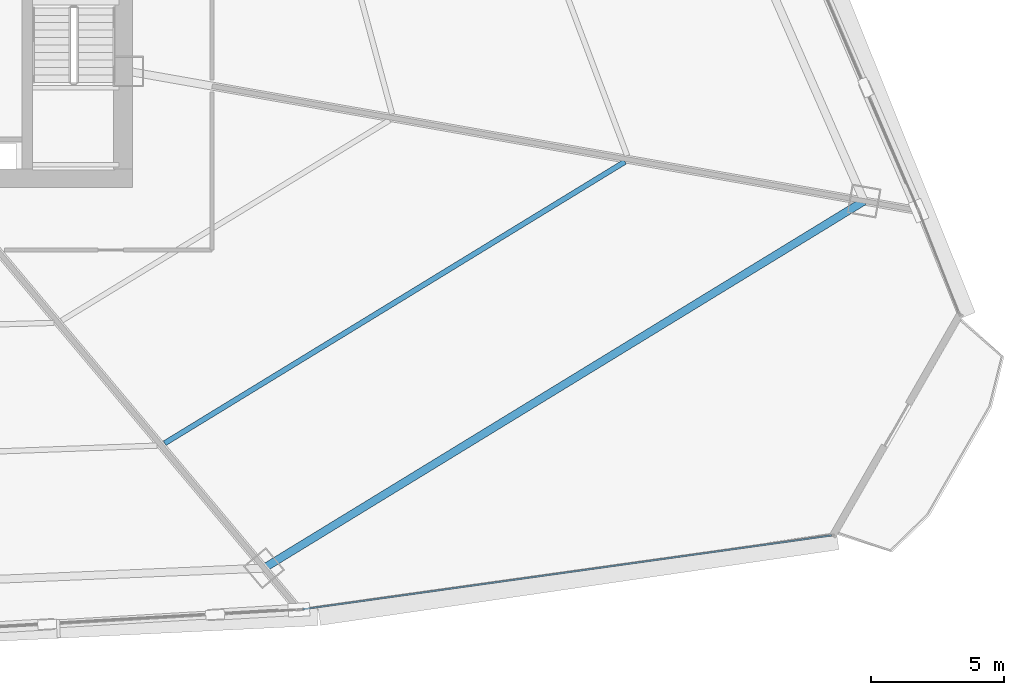
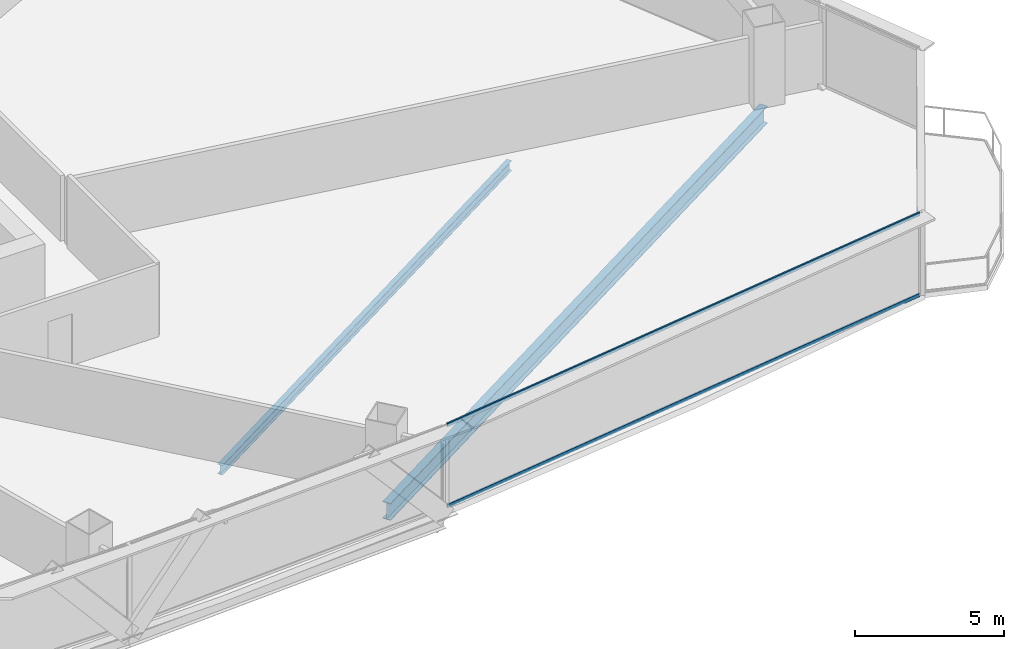
# One storey, part 20 of 38: 2 beams, 2 members, 1 element without a shape of its own.
"""IFC4 building model written with IfcOpenShell, lengths in metres."""

from ifc_helpers import new_model, si_unit, direction, frame, origin, origin_2d, place, context, subcontext, project, spatial, hollow_rectangle, i_section, extrude, source, transform, mapped, material, layer, layer_set, material_profile, profile_set, type_object, element, aggregate, save


model = new_model("IFC4")

# Units and contexts
model_context = context("Model", 3, precision=1e-05, world=origin(), true_north=direction((0.0, 1.0)))
body_context = subcontext(model_context, "Body", "Model", "MODEL_VIEW")
ifc_project = project(units=[si_unit("LENGTHUNIT", "METRE"), si_unit("AREAUNIT", "SQUARE_METRE"), si_unit("VOLUMEUNIT", "CUBIC_METRE"), si_unit("PLANEANGLEUNIT", "RADIAN"), si_unit("MASSUNIT", "GRAM", prefix="KILO"), si_unit("THERMODYNAMICTEMPERATUREUNIT", "KELVIN"), si_unit("POWERUNIT", "WATT")], contexts=[model_context])

# Site, building, storey
site_placement = place(None, origin())
site = spatial("IfcSite", under=ifc_project, at=site_placement, CompositionType="ELEMENT")
building_placement = place(site_placement, origin())
building = spatial("IfcBuilding", under=site, at=building_placement, Name="Yunzhuo Pagoda Commons", CompositionType="ELEMENT")
storey_placement = place(building_placement, frame((0.0, 0.0, 34.030029296875)))
storey = spatial("IfcBuildingStorey", under=building, at=storey_placement, Name="L08", CompositionType="ELEMENT", Elevation=34.030029296875)

# Beams
ifc_material_1 = material(Name="Structural steel Q355B", Category="steel")
ifc_material_profile_1 = material_profile(ifc_material_1, i_section(OverallWidth=0.300048828125, OverallDepth=0.699951171875, WebThickness=0.012939453125, FlangeThickness=0.02392578125, at=origin_2d()), Name="Structural steel Q355B")
ifc_profile_set_1 = profile_set([ifc_material_profile_1], Name="Structural steel Q355B")
beam_type_1 = type_object("IfcBeamType", Name="B-RG1 Beam HN 700x300x13x24", PredefinedType="BEAM", material=ifc_profile_set_1)
shared_shape_1 = source(origin(), body_context, "Body", "SweptSolid", [
    extrude(i_section(OverallWidth=0.300048828125, OverallDepth=0.699951171875, WebThickness=0.012939453125, FlangeThickness=0.02392578125, at=origin_2d()), origin(), (0.0, 0.0, 1.0), 26.432373046875),
])
beam_1_placement = place(storey_placement, frame((65.5, 12.844482421875, -0.610107421875), z_axis=(0.853031728928, 0.521859051318, 0.0), x_axis=(-0.521859051318, 0.853031728928, 0.0)))
element("IfcBeam", 1, at=beam_1_placement, inside=storey, type_object=beam_type_1, Name="L08 column-ring beam 4", PredefinedType="BEAM", context=body_context, shape_type="MappedRepresentation", body=[
    mapped(shared_shape_1, transform((0.0, 0.0, 0.0), scale=1.0)),
])
ifc_material_profile_2 = material_profile(ifc_material_1, i_section(OverallWidth=0.199951171875, OverallDepth=0.39990234375, WebThickness=0.008056640625, FlangeThickness=0.012939453125, at=origin_2d()), Name="Structural steel Q355B")
ifc_profile_set_2 = profile_set([ifc_material_profile_2], Name="Structural steel Q355B")
beam_type_2 = type_object("IfcBeamType", Name="B-JS1 Joist HN 400x200x8x13", PredefinedType="JOIST", material=ifc_profile_set_2)
shared_shape_2 = source(origin(), body_context, "Body", "SweptSolid", [
    extrude(i_section(OverallWidth=0.199951171875, OverallDepth=0.39990234375, WebThickness=0.008056640625, FlangeThickness=0.012939453125, at=origin_2d()), origin(), (0.0, 0.0, 1.0), 20.275634765625),
])
beam_2_placement = place(storey_placement, frame((61.767578125, 17.537109375, -0.4599609375), z_axis=(0.853102898066, 0.521742700295, 0.0), x_axis=(-0.521742700295, 0.853102898066, 0.0)))
element("IfcBeam", 2, at=beam_2_placement, inside=storey, type_object=beam_type_2, Name="L08 composite ring joist 2.4", PredefinedType="JOIST", context=body_context, shape_type="MappedRepresentation", body=[
    mapped(shared_shape_2, transform((0.0, 0.0, 0.0), scale=1.0)),
])

# Curtain wall, members
ifc_material_2 = material(Name="Anodized aluminium 6063-T6", Category="aluminium")
ifc_layer = layer(ifc_material_2, 0.1650390625)
ifc_layer_set = layer_set([ifc_layer], Name="Anodized aluminium 6063-T6")
curtain_wall_type = type_object("IfcCurtainWallType", Name="CW-LOW Low-Zone Ribbon Curtain Wall", PredefinedType="NOTDEFINED", material=ifc_layer_set)
curtain_wall_placement = place(storey_placement, origin())
curtain_wall = element("IfcCurtainWall", 3, at=curtain_wall_placement, inside=storey, type_object=curtain_wall_type, Name="L08 curtain wall CW-L08-F1B5", PredefinedType="NOTDEFINED")
ifc_material_profile_3 = material_profile(ifc_material_2, hollow_rectangle(XDim=0.06005859375, YDim=0.139892578125, WallThickness=0.00341796875, at=origin_2d()), Name="Anodized aluminium 6063-T6")
ifc_profile_set_3 = profile_set([ifc_material_profile_3], Name="Anodized aluminium 6063-T6")
member_type = type_object("IfcMemberType", Name="CW-LOW-T Transom RHS 140x60x3.5", PredefinedType="USERDEFINED", material=ifc_profile_set_3)
shared_shape_3 = source(origin(), body_context, "Body", "SweptSolid", [
    extrude(hollow_rectangle(XDim=0.06005859375, YDim=0.139892578125, WallThickness=0.00341796875, at=origin_2d()), origin(), (0.0, 0.0, 1.0), 20.06201171875),
])
member_1_placement = place(storey_placement, frame((66.95166015625, 11.298828125, 0.030029296875), z_axis=(0.990391410745, 0.138292637271, 0.0), x_axis=(-0.138292637271, 0.990391410745, 0.0)))
member_1 = element("IfcMember", 4, at=member_1_placement, type_object=member_type, Name="CW transom 1.1", ObjectType="TRANSOM", PredefinedType="USERDEFINED", context=body_context, shape_type="MappedRepresentation", body=[
    mapped(shared_shape_3, transform((0.0, 0.0, 0.0), scale=1.0)),
])
member_2_placement = place(storey_placement, frame((66.95166015625, 11.298828125, 3.340087890625), z_axis=(0.990391410745, 0.138292637271, 0.0), x_axis=(-0.138292637271, 0.990391410745, 0.0)))
member_2 = element("IfcMember", 5, at=member_2_placement, type_object=member_type, Name="CW transom 1.2", ObjectType="TRANSOM", PredefinedType="USERDEFINED", context=body_context, shape_type="MappedRepresentation", body=[
    mapped(shared_shape_3, transform((0.0, 0.0, 0.0), scale=1.0)),
])
aggregate(curtain_wall, [member_1, member_2])

save(model, "model.ifc")
